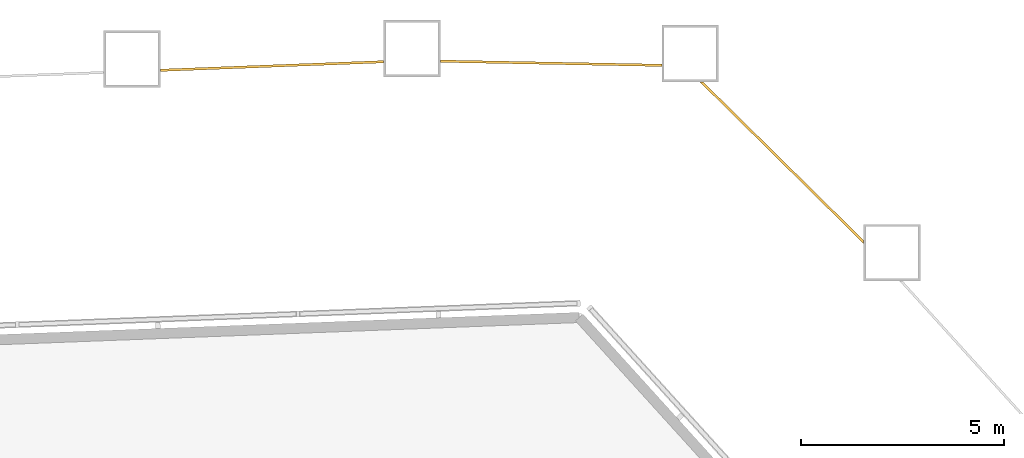
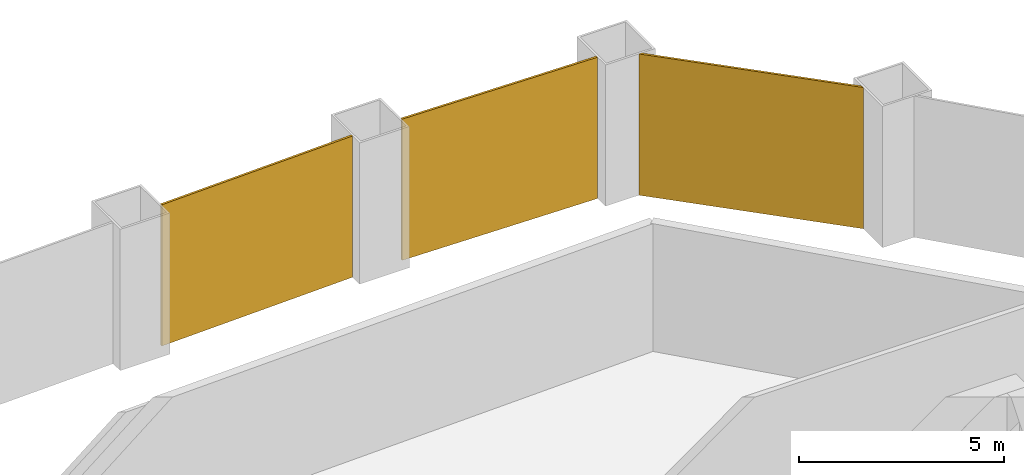
# One storey, part 18 of 18: 3 coverings.
"""IFC4 building model written with IfcOpenShell, lengths in metres."""

from ifc_helpers import new_model, si_unit, direction, frame, origin, place, context, subcontext, project, spatial, polyline, outline, extrude, material, layer, layer_set, type_object, element, save


model = new_model("IFC4")

# Units and contexts
model_context = context("Model", 3, precision=1e-05, world=origin(), true_north=direction((0.0, 1.0)))
body_context = subcontext(model_context, "Body", "Model", "MODEL_VIEW")
ifc_project = project(units=[si_unit("LENGTHUNIT", "METRE"), si_unit("AREAUNIT", "SQUARE_METRE"), si_unit("VOLUMEUNIT", "CUBIC_METRE"), si_unit("PLANEANGLEUNIT", "RADIAN"), si_unit("MASSUNIT", "GRAM", prefix="KILO")], contexts=[model_context])

# Site, building, storey
site_placement = place(None, origin())
site = spatial("IfcSite", under=ifc_project, at=site_placement, CompositionType="ELEMENT")
building_placement = place(site_placement, origin())
building = spatial("IfcBuilding", under=site, at=building_placement, Name="Dongbaek Canopy Tower", CompositionType="ELEMENT")
storey_placement = place(building_placement, frame((0.0, 0.0, 363.199951171875)))
storey = spatial("IfcBuildingStorey", under=building, at=storey_placement, Name="L78", CompositionType="ELEMENT", Elevation=363.199951171875)

# Coverings
ifc_material = material(Name="Perforated pale metal")
ifc_layer = layer(ifc_material, 0.06005859375)
ifc_layer_set = layer_set([ifc_layer], Name="Crown plant screen")
covering_type = type_object("IfcCoveringType", Name="Crown plant screen", PredefinedType="CLADDING", material=ifc_layer_set)
covering_1_placement = place(storey_placement, origin())
element("IfcCovering", 1, at=covering_1_placement, inside=storey, type_object=covering_type, Name="Crown plant screen 17 L78", PredefinedType="CLADDING", context=body_context, shape_type="SweptSolid", body=[
    extrude(outline(polyline([(16.575927734375, 22.9775390625), (16.575927734375, 22.893310546875), (12.553466796875, 26.863037109375), (12.638916015625, 26.863037109375), (16.575927734375, 22.9775390625)])), origin(), (0.0, 0.0, 1.0), 4.199951171875),
])
covering_2_placement = place(storey_placement, origin())
element("IfcCovering", 2, at=covering_2_placement, inside=storey, type_object=covering_type, Name="Crown plant screen 18 L78", PredefinedType="CLADDING", context=body_context, shape_type="SweptSolid", body=[
    extrude(outline(polyline([(11.614013671875, 27.30615234375), (11.614013671875, 27.24609375), (6.1708984375, 27.3486328125), (6.1708984375, 27.40869140625), (11.614013671875, 27.30615234375)])), origin(), (0.0, 0.0, 1.0), 4.199951171875),
])
covering_3_placement = place(storey_placement, origin())
element("IfcCovering", 3, at=covering_3_placement, inside=storey, type_object=covering_type, Name="Crown plant screen 19 L78", PredefinedType="CLADDING", context=body_context, shape_type="SweptSolid", body=[
    extrude(outline(polyline([(4.77099609375, 27.39501953125), (4.77099609375, 27.3349609375), (-0.718017578125, 27.12451171875), (-0.718017578125, 27.1845703125), (4.77099609375, 27.39501953125)])), origin(), (0.0, 0.0, 1.0), 4.199951171875),
])

save(model, "model.ifc")
